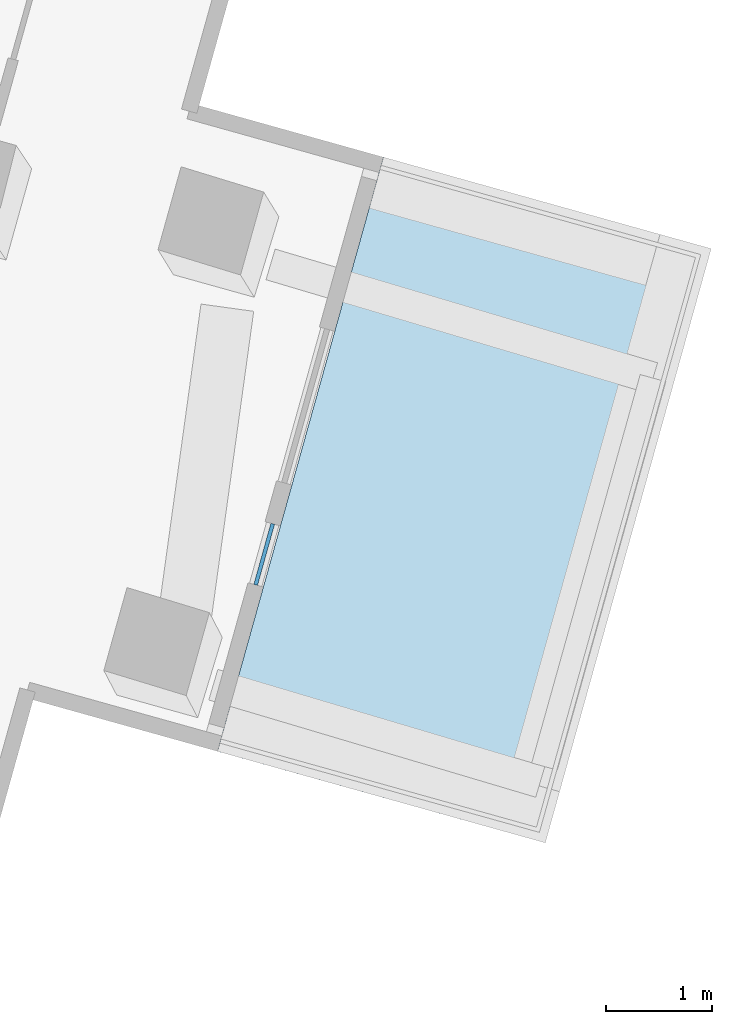
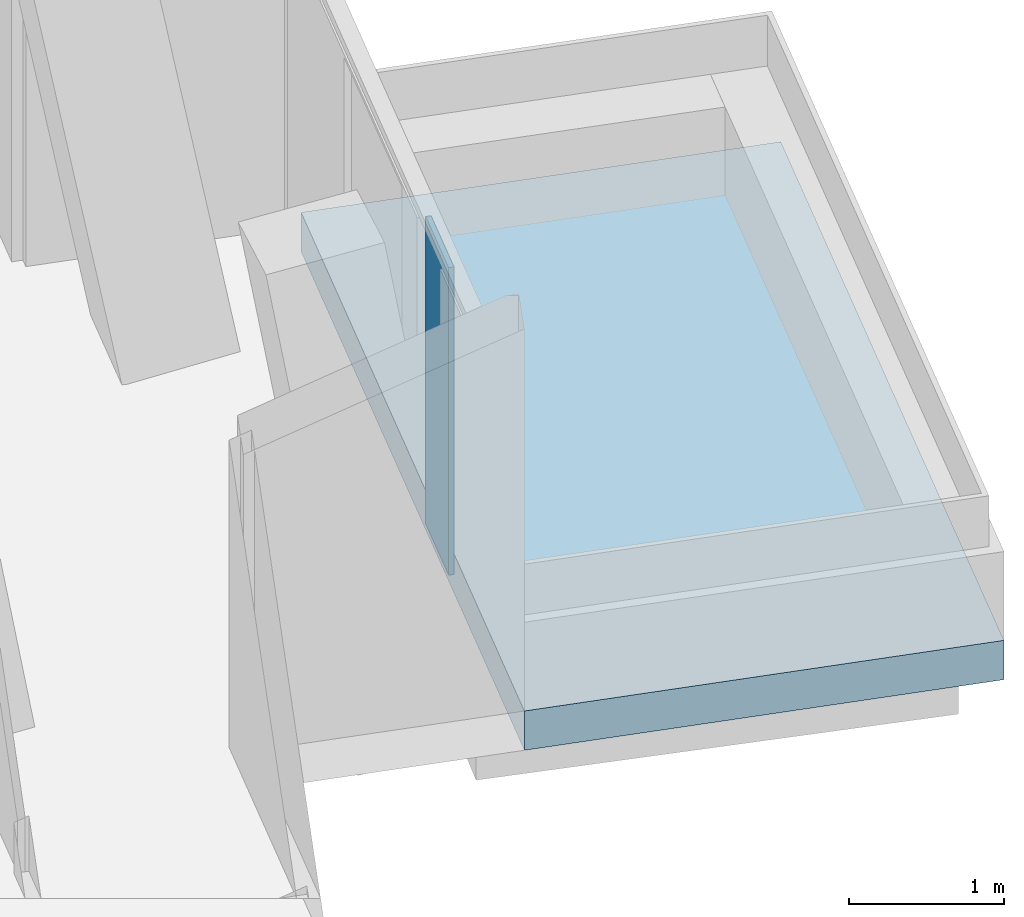
# One storey, part 17 of 26: 1 plate, 1 slab, 1 element without a shape of its own.
"""IFC4 building model written with IfcOpenShell, lengths in metres."""

from ifc_helpers import new_model, si_unit, direction, frame, origin, origin_2d, place, context, subcontext, project, spatial, polyline, rectangle, outline, extrude, material, layer, layer_set, type_object, element, aggregate, save


model = new_model("IFC4")

# Units and contexts
model_context = context("Model", 3, precision=1e-05, world=origin(), true_north=direction((0.0, 1.0)))
body_context = subcontext(model_context, "Body", "Model", "MODEL_VIEW")
ifc_project = project(units=[si_unit("LENGTHUNIT", "METRE"), si_unit("AREAUNIT", "SQUARE_METRE"), si_unit("VOLUMEUNIT", "CUBIC_METRE"), si_unit("PLANEANGLEUNIT", "RADIAN"), si_unit("MASSUNIT", "GRAM", prefix="KILO")], contexts=[model_context])

# Site, building, storey
site_placement = place(None, origin())
site = spatial("IfcSite", under=ifc_project, at=site_placement, CompositionType="ELEMENT")
building_placement = place(site_placement, origin())
building = spatial("IfcBuilding", under=site, at=building_placement, Name="Verdalira Terraces Hotel", CompositionType="ELEMENT")
storey_placement = place(building_placement, frame((0.0, 0.0, 93.0)))
storey = spatial("IfcBuildingStorey", under=building, at=storey_placement, Name="L21", CompositionType="ELEMENT", Elevation=93.0)

# Slab
ifc_material_1 = material(Name="Precast concrete C40/50", Category="concrete")
ifc_layer_1 = layer(ifc_material_1, 0.31005859375)
ifc_layer_set_1 = layer_set([ifc_layer_1], Name="Balcony deck 310")
slab_type = type_object("IfcSlabType", Name="Balcony deck 310", PredefinedType="FLOOR", material=ifc_layer_set_1)
slab_placement = place(storey_placement, frame((0.0, 0.0, -0.310059)))
element("IfcSlab", 1, at=slab_placement, inside=storey, type_object=slab_type, Name="Balcony deck", PredefinedType="FLOOR", context=body_context, shape_type="SweptSolid", body=[
    extrude(outline(polyline([(36.785156, -7.259766), (33.702881, -6.39917), (32.143311, -11.985596), (35.225342, -12.845947), (36.785156, -7.259766)])), origin(), (0.0, 0.0, 1.0), 0.310059),
])

# Curtain wall, plate
ifc_material_2 = material(Name="Clear glass", Category="glass")
ifc_layer_2 = layer(ifc_material_2, 0.14990234375)
ifc_layer_set_2 = layer_set([ifc_layer_2], Name="CW3 curtain wall")
curtain_wall_type = type_object("IfcCurtainWallType", Name="CW3 curtain wall", PredefinedType="NOTDEFINED", material=ifc_layer_set_2)
curtain_wall_placement = place(storey_placement, origin())
curtain_wall = element("IfcCurtainWall", 2, at=curtain_wall_placement, inside=storey, type_object=curtain_wall_type, Name="CW3 curtain wall L21 edge 33", PredefinedType="NOTDEFINED")
ifc_material_3 = material(Name="Clear glass", Category="glass")
ifc_layer_3 = layer(ifc_material_3, 0.035888671875)
ifc_layer_set_3 = layer_set([ifc_layer_3], Name="CW3 glass unit 36")
plate_type = type_object("IfcPlateType", Name="CW3 glass unit 36", PredefinedType="CURTAIN_PANEL", material=ifc_layer_set_3)
plate_placement = place(storey_placement, frame((32.58252, -10.133545, 0.0), z_axis=(0.0, 0.0, 1.0), x_axis=(0.268919821, 0.963162567, 0.0)))
plate = element("IfcPlate", 3, at=plate_placement, type_object=plate_type, Name="CW3 glass unit", PredefinedType="CURTAIN_PANEL", context=body_context, shape_type="SweptSolid", body=[
    extrude(rectangle(XDim=0.596191, YDim=0.035889, at=origin_2d()), origin(), (0.0, 0.0, 1.0), 2.425049),
])
aggregate(curtain_wall, [plate])

save(model, "model.ifc")
